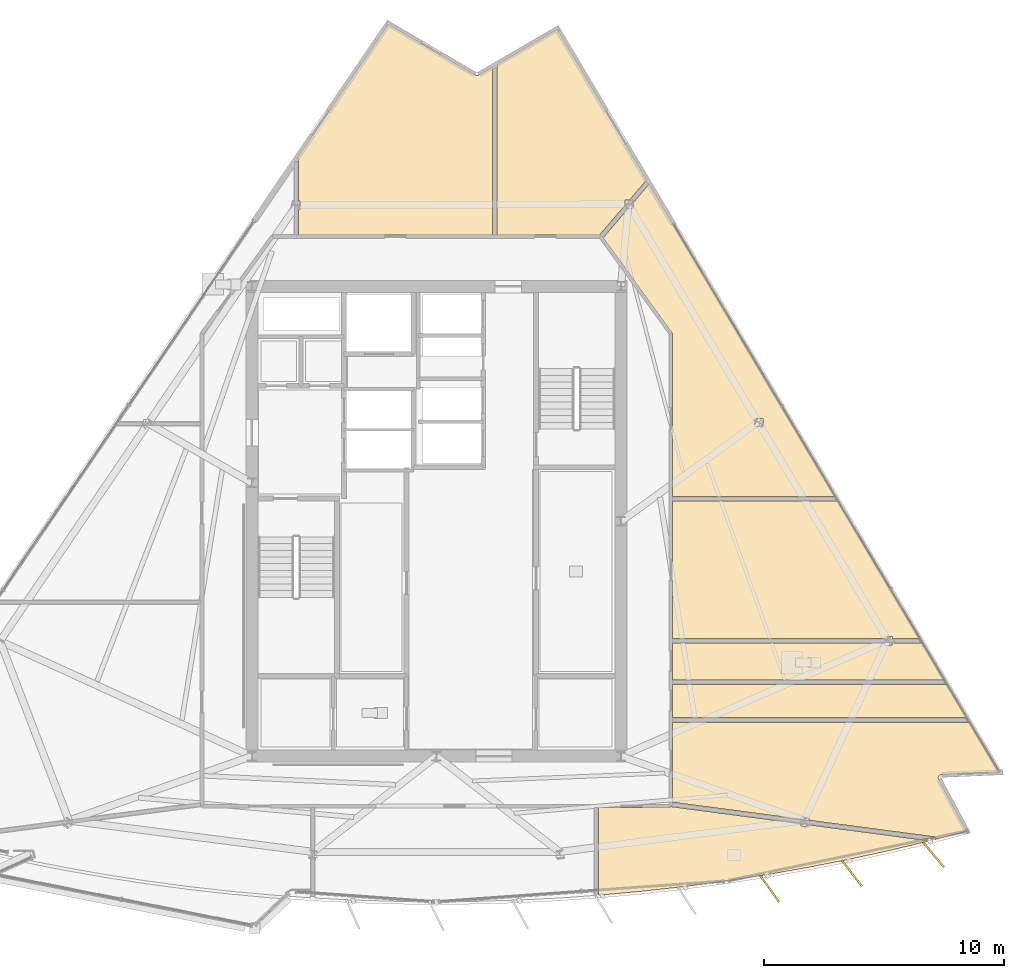
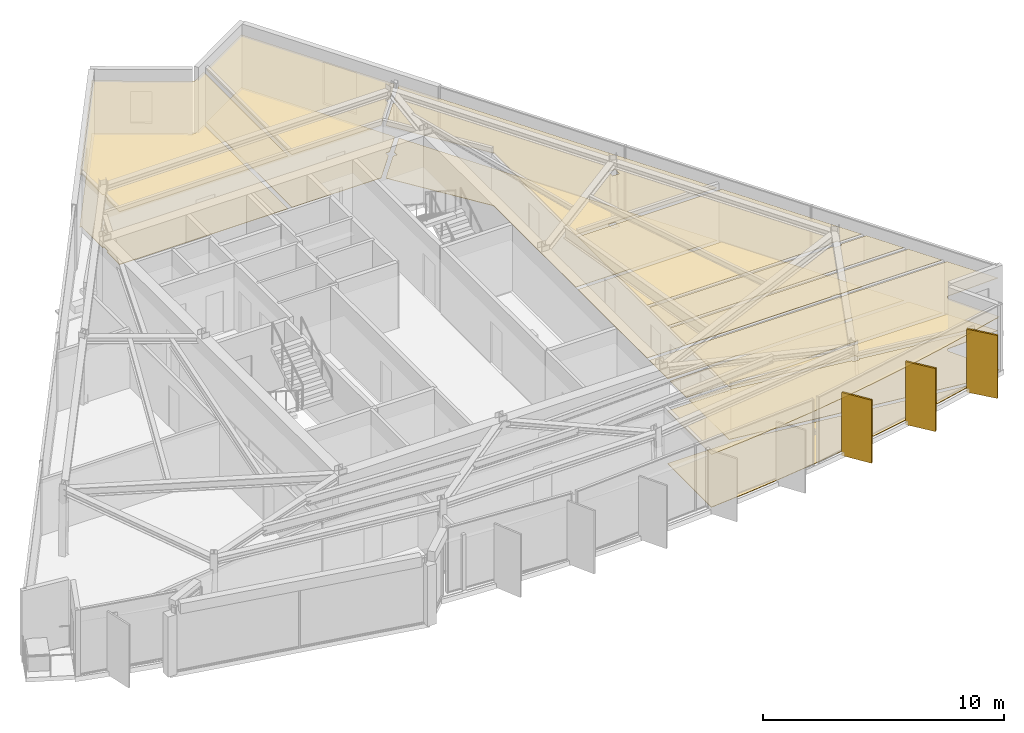
# One storey, part 12 of 13: 16 coverings, 3 shading devices.
"""IFC4 building model written with IfcOpenShell, lengths in metres."""

from ifc_helpers import new_model, si_unit, direction, frame, origin, origin_2d, place, context, subcontext, project, spatial, polyline, rectangle, outline, extrude, material, layer, layer_set, type_object, element, save


model = new_model("IFC4")

# Units and contexts
model_context = context("Model", 3, precision=1e-05, world=origin(), true_north=direction((0.0, 1.0)))
body_context = subcontext(model_context, "Body", "Model", "MODEL_VIEW")
ifc_project = project(units=[si_unit("LENGTHUNIT", "METRE"), si_unit("AREAUNIT", "SQUARE_METRE"), si_unit("VOLUMEUNIT", "CUBIC_METRE"), si_unit("PLANEANGLEUNIT", "RADIAN"), si_unit("MASSUNIT", "GRAM", prefix="KILO")], contexts=[model_context])

# Site, building, storey
site_placement = place(None, origin())
site = spatial("IfcSite", under=ifc_project, at=site_placement, CompositionType="ELEMENT")
building_placement = place(site_placement, origin())
building = spatial("IfcBuilding", under=site, at=building_placement, Name="Savorim Split Tower", CompositionType="ELEMENT")
storey_placement = place(building_placement, frame((0.0, 0.0, 276.0)))
storey = spatial("IfcBuildingStorey", under=building, at=storey_placement, Name="L73", CompositionType="ELEMENT", Elevation=276.0)

# Coverings
ifc_material_1 = material(Name="Mineral Fibre Acoustic Ceiling")
ifc_layer_1 = layer(ifc_material_1, 0.02490234375)
ifc_layer_set_1 = layer_set([ifc_layer_1], Name="COV-CEIL-25")
covering_type_1 = type_object("IfcCoveringType", Name="COV-CEIL-25", PredefinedType="CEILING", material=ifc_layer_set_1)
covering_1_placement = place(storey_placement, frame((0.0, 0.0, 2.669921875)))
element("IfcCovering", 1, at=covering_1_placement, inside=storey, type_object=covering_type_1, Name="L73 Shared Kitchen Acoustic Ceiling", PredefinedType="CEILING", context=body_context, shape_type="SweptSolid", body=[
    extrude(outline(polyline([(13.801025390625, -14.3369140625), (15.5078125, -14.036865234375), (17.2080078125, -13.7021484375), (18.90087890625, -13.332763671875), (20.58349609375, -12.92919921875), (15.535888671875, -12.26220703125), (15.535888671875, -12.319580078125), (15.206787109375, -12.319580078125), (15.206787109375, -12.21875), (9.82666015625, -11.5078125), (9.7939453125, -11.503662109375), (9.788818359375, -11.50830078125), (9.77783203125, -11.516357421875), (9.76611328125, -11.5234375), (9.753662109375, -11.529296875), (9.740478515625, -11.533935546875), (9.727294921875, -11.537353515625), (9.713623046875, -11.539306640625), (9.699951171875, -11.5400390625), (6.75634765625, -11.5400390625), (6.75634765625, -15.197509765625), (6.923583984375, -15.185546875), (8.649169921875, -15.026123046875), (10.37109375, -14.83154296875), (12.088623046875, -14.601806640625), (13.801025390625, -14.3369140625)])), origin(), (0.0, 0.0, 1.0), 0.025146484375),
])
covering_2_placement = place(storey_placement, frame((0.0, 0.0, 2.669921875)))
element("IfcCovering", 2, at=covering_2_placement, inside=storey, type_object=covering_type_1, Name="L73 Quiet Study Room Acoustic Ceiling", PredefinedType="CEILING", context=body_context, shape_type="SweptSolid", body=[
    extrude(outline(polyline([(21.022705078125, -10.172119140625), (21.033935546875, -10.169921875), (21.04541015625, -10.168701171875), (23.469970703125, -10.065673828125), (22.232421875, -7.984619140625), (9.840087890625, -7.984619140625), (9.840087890625, -11.318115234375), (15.206787109375, -12.027099609375), (15.206787109375, -11.9697265625), (15.535888671875, -11.9697265625), (15.535888671875, -12.070556640625), (20.708251953125, -12.754150390625), (20.802490234375, -12.7666015625), (20.7880859375, -12.875732421875), (22.1162109375, -12.528564453125), (20.94482421875, -10.345458984375), (20.93994140625, -10.3349609375), (20.93603515625, -10.32421875), (20.93310546875, -10.31298828125), (20.931396484375, -10.301513671875), (20.9306640625, -10.2900390625), (20.930908203125, -10.278564453125), (20.9326171875, -10.26708984375), (20.935302734375, -10.255859375), (20.93896484375, -10.244873046875), (20.943603515625, -10.234375), (20.94921875, -10.224365234375), (20.9560546875, -10.21484375), (20.96337890625, -10.206298828125), (20.9716796875, -10.1982421875), (20.98095703125, -10.19091796875), (20.990478515625, -10.184814453125), (21.0009765625, -10.179443359375), (21.01171875, -10.17529296875), (21.022705078125, -10.172119140625)])), origin(), (0.0, 0.0, 1.0), 0.025146484375),
])
covering_3_placement = place(storey_placement, frame((0.0, 0.0, 2.669921875)))
element("IfcCovering", 3, at=covering_3_placement, inside=storey, type_object=covering_type_1, Name="L73 Co-Living Bedroom Acoustic Ceiling", PredefinedType="CEILING", context=body_context, shape_type="SweptSolid", body=[
    extrude(outline(polyline([(22.119384765625, -7.794677734375), (21.294921875, -6.408203125), (9.840087890625, -6.408203125), (9.840087890625, -7.794677734375), (22.119384765625, -7.794677734375)])), origin(), (0.0, 0.0, 1.0), 0.025146484375),
])
covering_4_placement = place(storey_placement, frame((0.0, 0.0, 2.669921875)))
element("IfcCovering", 4, at=covering_4_placement, inside=storey, type_object=covering_type_1, Name="L73 Shared Bathroom Acoustic Ceiling", PredefinedType="CEILING", context=body_context, shape_type="SweptSolid", body=[
    extrude(outline(polyline([(18.7041015625, -4.765380859375), (18.7041015625, -4.685302734375), (9.840087890625, -4.685302734375), (9.840087890625, -6.218017578125), (21.181884765625, -6.218017578125), (20.2509765625, -4.652099609375), (20.2509765625, -4.685302734375), (19.033203125, -4.685302734375), (19.033203125, -4.765380859375), (18.7041015625, -4.765380859375)])), origin(), (0.0, 0.0, 1.0), 0.025146484375),
])
covering_5_placement = place(storey_placement, frame((0.0, 0.0, 2.669921875)))
element("IfcCovering", 5, at=covering_5_placement, inside=storey, type_object=covering_type_1, Name="L73 Quiet Study Room Acoustic Ceiling", PredefinedType="CEILING", context=body_context, shape_type="SweptSolid", body=[
    extrude(outline(polyline([(19.033203125, -4.415283203125), (19.033203125, -4.495361328125), (20.156005859375, -4.495361328125), (20.15771484375, -4.495361328125), (16.745361328125, 1.2431640625), (9.840087890625, 1.2431640625), (9.840087890625, -4.495361328125), (18.7041015625, -4.495361328125), (18.7041015625, -4.415283203125), (19.033203125, -4.415283203125)])), origin(), (0.0, 0.0, 1.0), 0.025146484375),
])
covering_6_placement = place(storey_placement, frame((0.0, 0.0, 2.669921875)))
element("IfcCovering", 6, at=covering_6_placement, inside=storey, type_object=covering_type_1, Name="L73 Quiet Study Room Acoustic Ceiling", PredefinedType="CEILING", context=body_context, shape_type="SweptSolid", body=[
    extrude(outline(polyline([(9.8369140625, 8.22900390625), (9.839111328125, 8.214599609375), (9.840087890625, 8.199951171875), (9.840087890625, 1.43310546875), (16.63232421875, 1.43310546875), (8.878173828125, 14.47412109375), (8.197509765625, 13.678466796875), (8.197509765625, 13.457275390625), (8.00830078125, 13.457275390625), (6.967529296875, 12.240234375), (6.95458984375, 12.225341796875), (9.813232421875, 8.2822265625), (9.8212890625, 8.27001953125), (9.827880859375, 8.2568359375), (9.833251953125, 8.2431640625), (9.8369140625, 8.22900390625)]), holes=[polyline([(13.615478515625, 4.345947265625), (13.615478515625, 4.696044921875), (13.286376953125, 4.696044921875), (13.286376953125, 4.345947265625), (13.615478515625, 4.345947265625)])]), origin(), (0.0, 0.0, 1.0), 0.025146484375),
])
covering_7_placement = place(storey_placement, frame((0.0, 0.0, 2.669921875)))
element("IfcCovering", 7, at=covering_7_placement, inside=storey, type_object=covering_type_1, Name="L73 Quiet Study Room Acoustic Ceiling", PredefinedType="CEILING", context=body_context, shape_type="SweptSolid", body=[
    extrude(outline(polyline([(8.72021484375, 14.581787109375), (8.775390625, 14.646484375), (5.039794921875, 20.92919921875), (2.51904296875, 19.460205078125), (2.51904296875, 12.340087890625), (6.800048828125, 12.340087890625), (6.802490234375, 12.33984375), (7.86865234375, 13.586181640625), (7.86865234375, 13.807373046875), (8.057861328125, 13.807373046875), (8.72021484375, 14.581787109375)])), origin(), (0.0, 0.0, 1.0), 0.025146484375),
])
covering_8_placement = place(storey_placement, frame((0.0, 0.0, 2.669921875)))
element("IfcCovering", 8, at=covering_8_placement, inside=storey, type_object=covering_type_1, Name="L73 Quiet Study Room Acoustic Ceiling", PredefinedType="CEILING", context=body_context, shape_type="SweptSolid", body=[
    extrude(outline(polyline([(1.64794921875, 19.00146484375), (1.63720703125, 19.005859375), (1.626953125, 19.010986328125), (-2.01171875, 21.149658203125), (-5.8486328125, 15.509033203125), (-5.7578125, 15.509033203125), (-5.7578125, 13.758544921875), (-5.6884765625, 13.758544921875), (-5.6884765625, 13.408447265625), (-5.7578125, 13.408447265625), (-5.7578125, 12.340087890625), (2.3291015625, 12.340087890625), (2.3291015625, 19.349609375), (1.748291015625, 19.010986328125), (1.738037109375, 19.005615234375), (1.727294921875, 19.001220703125), (1.71630859375, 18.998046875), (1.704833984375, 18.995849609375), (1.693359375, 18.99462890625), (1.681884765625, 18.99462890625), (1.67041015625, 18.995849609375), (1.658935546875, 18.998046875), (1.64794921875, 19.00146484375)])), origin(), (0.0, 0.0, 1.0), 0.025146484375),
])
ifc_material_2 = material(Name="Porcelain Stoneware Flooring", Category="masonry")
ifc_layer_2 = layer(ifc_material_2, 0.02001953125)
ifc_layer_set_2 = layer_set([ifc_layer_2], Name="COV-FLOR-20")
covering_type_2 = type_object("IfcCoveringType", Name="COV-FLOR-20", PredefinedType="FLOORING", material=ifc_layer_set_2)
covering_9_placement = place(storey_placement, origin())
element("IfcCovering", 9, at=covering_9_placement, inside=storey, type_object=covering_type_2, Name="L73 Shared Kitchen Porcelain Flooring", PredefinedType="FLOORING", context=body_context, shape_type="SweptSolid", body=[
    extrude(outline(polyline([(13.801025390625, -14.3369140625), (15.5078125, -14.036865234375), (17.2080078125, -13.7021484375), (18.90087890625, -13.332763671875), (20.58349609375, -12.92919921875), (15.535888671875, -12.26220703125), (15.535888671875, -12.319580078125), (15.206787109375, -12.319580078125), (15.206787109375, -12.21875), (9.82666015625, -11.5078125), (9.7939453125, -11.503662109375), (9.788818359375, -11.50830078125), (9.77783203125, -11.516357421875), (9.76611328125, -11.5234375), (9.753662109375, -11.529296875), (9.740478515625, -11.533935546875), (9.727294921875, -11.537353515625), (9.713623046875, -11.539306640625), (9.699951171875, -11.5400390625), (6.75634765625, -11.5400390625), (6.75634765625, -15.197509765625), (6.923583984375, -15.185546875), (8.649169921875, -15.026123046875), (10.37109375, -14.83154296875), (12.088623046875, -14.601806640625), (13.801025390625, -14.3369140625)])), origin(), (0.0, 0.0, 1.0), 0.02001953125),
])
covering_10_placement = place(storey_placement, origin())
element("IfcCovering", 10, at=covering_10_placement, inside=storey, type_object=covering_type_2, Name="L73 Quiet Study Room Porcelain Flooring", PredefinedType="FLOORING", context=body_context, shape_type="SweptSolid", body=[
    extrude(outline(polyline([(21.022705078125, -10.172119140625), (21.033935546875, -10.169921875), (21.04541015625, -10.168701171875), (23.469970703125, -10.065673828125), (22.232421875, -7.984619140625), (9.840087890625, -7.984619140625), (9.840087890625, -11.318115234375), (15.206787109375, -12.027099609375), (15.206787109375, -11.9697265625), (15.535888671875, -11.9697265625), (15.535888671875, -12.070556640625), (20.708251953125, -12.754150390625), (20.802490234375, -12.7666015625), (20.7880859375, -12.875732421875), (22.1162109375, -12.528564453125), (20.94482421875, -10.345458984375), (20.93994140625, -10.3349609375), (20.93603515625, -10.32421875), (20.93310546875, -10.31298828125), (20.931396484375, -10.301513671875), (20.9306640625, -10.2900390625), (20.930908203125, -10.278564453125), (20.9326171875, -10.26708984375), (20.935302734375, -10.255859375), (20.93896484375, -10.244873046875), (20.943603515625, -10.234375), (20.94921875, -10.224365234375), (20.9560546875, -10.21484375), (20.96337890625, -10.206298828125), (20.9716796875, -10.1982421875), (20.98095703125, -10.19091796875), (20.990478515625, -10.184814453125), (21.0009765625, -10.179443359375), (21.01171875, -10.17529296875), (21.022705078125, -10.172119140625)])), origin(), (0.0, 0.0, 1.0), 0.02001953125),
])
covering_11_placement = place(storey_placement, origin())
element("IfcCovering", 11, at=covering_11_placement, inside=storey, type_object=covering_type_2, Name="L73 Co-Living Bedroom Porcelain Flooring", PredefinedType="FLOORING", context=body_context, shape_type="SweptSolid", body=[
    extrude(outline(polyline([(22.119384765625, -7.794677734375), (21.294921875, -6.408203125), (9.840087890625, -6.408203125), (9.840087890625, -7.794677734375), (22.119384765625, -7.794677734375)])), origin(), (0.0, 0.0, 1.0), 0.02001953125),
])
covering_12_placement = place(storey_placement, origin())
element("IfcCovering", 12, at=covering_12_placement, inside=storey, type_object=covering_type_2, Name="L73 Shared Bathroom Porcelain Flooring", PredefinedType="FLOORING", context=body_context, shape_type="SweptSolid", body=[
    extrude(outline(polyline([(18.7041015625, -4.765380859375), (18.7041015625, -4.685302734375), (9.840087890625, -4.685302734375), (9.840087890625, -6.218017578125), (21.181884765625, -6.218017578125), (20.2509765625, -4.652099609375), (20.2509765625, -4.685302734375), (19.033203125, -4.685302734375), (19.033203125, -4.765380859375), (18.7041015625, -4.765380859375)])), origin(), (0.0, 0.0, 1.0), 0.02001953125),
])
covering_13_placement = place(storey_placement, origin())
element("IfcCovering", 13, at=covering_13_placement, inside=storey, type_object=covering_type_2, Name="L73 Quiet Study Room Porcelain Flooring", PredefinedType="FLOORING", context=body_context, shape_type="SweptSolid", body=[
    extrude(outline(polyline([(19.033203125, -4.415283203125), (19.033203125, -4.495361328125), (20.156005859375, -4.495361328125), (20.15771484375, -4.495361328125), (16.745361328125, 1.2431640625), (9.840087890625, 1.2431640625), (9.840087890625, -4.495361328125), (18.7041015625, -4.495361328125), (18.7041015625, -4.415283203125), (19.033203125, -4.415283203125)])), origin(), (0.0, 0.0, 1.0), 0.02001953125),
])
covering_14_placement = place(storey_placement, origin())
element("IfcCovering", 14, at=covering_14_placement, inside=storey, type_object=covering_type_2, Name="L73 Quiet Study Room Porcelain Flooring", PredefinedType="FLOORING", context=body_context, shape_type="SweptSolid", body=[
    extrude(outline(polyline([(9.8369140625, 8.22900390625), (9.839111328125, 8.214599609375), (9.840087890625, 8.199951171875), (9.840087890625, 1.43310546875), (16.63232421875, 1.43310546875), (8.878173828125, 14.47412109375), (8.197509765625, 13.678466796875), (8.197509765625, 13.457275390625), (8.00830078125, 13.457275390625), (6.967529296875, 12.240234375), (6.95458984375, 12.225341796875), (9.813232421875, 8.2822265625), (9.8212890625, 8.27001953125), (9.827880859375, 8.2568359375), (9.833251953125, 8.2431640625), (9.8369140625, 8.22900390625)]), holes=[polyline([(13.615478515625, 4.345947265625), (13.615478515625, 4.696044921875), (13.286376953125, 4.696044921875), (13.286376953125, 4.345947265625), (13.615478515625, 4.345947265625)])]), origin(), (0.0, 0.0, 1.0), 0.02001953125),
])
covering_15_placement = place(storey_placement, origin())
element("IfcCovering", 15, at=covering_15_placement, inside=storey, type_object=covering_type_2, Name="L73 Quiet Study Room Porcelain Flooring", PredefinedType="FLOORING", context=body_context, shape_type="SweptSolid", body=[
    extrude(outline(polyline([(8.72021484375, 14.581787109375), (8.775390625, 14.646484375), (5.039794921875, 20.92919921875), (2.51904296875, 19.460205078125), (2.51904296875, 12.340087890625), (6.800048828125, 12.340087890625), (6.802490234375, 12.33984375), (7.86865234375, 13.586181640625), (7.86865234375, 13.807373046875), (8.057861328125, 13.807373046875), (8.72021484375, 14.581787109375)])), origin(), (0.0, 0.0, 1.0), 0.02001953125),
])
covering_16_placement = place(storey_placement, origin())
element("IfcCovering", 16, at=covering_16_placement, inside=storey, type_object=covering_type_2, Name="L73 Quiet Study Room Porcelain Flooring", PredefinedType="FLOORING", context=body_context, shape_type="SweptSolid", body=[
    extrude(outline(polyline([(1.64794921875, 19.00146484375), (1.63720703125, 19.005859375), (1.626953125, 19.010986328125), (-2.01171875, 21.149658203125), (-5.8486328125, 15.509033203125), (-5.7578125, 15.509033203125), (-5.7578125, 13.758544921875), (-5.6884765625, 13.758544921875), (-5.6884765625, 13.408447265625), (-5.7578125, 13.408447265625), (-5.7578125, 12.340087890625), (2.3291015625, 12.340087890625), (2.3291015625, 19.349609375), (1.748291015625, 19.010986328125), (1.738037109375, 19.005615234375), (1.727294921875, 19.001220703125), (1.71630859375, 18.998046875), (1.704833984375, 18.995849609375), (1.693359375, 18.99462890625), (1.681884765625, 18.99462890625), (1.67041015625, 18.995849609375), (1.658935546875, 18.998046875), (1.64794921875, 19.00146484375)])), origin(), (0.0, 0.0, 1.0), 0.02001953125),
])

# Shading devices
ifc_material_3 = material(Name="Terracotta Ceramic-Coated Aluminium Fin", Category="masonry")
shading_device_type = type_object("IfcShadingDeviceType", Name="SHD-FIN-1360", PredefinedType="USERDEFINED", material=ifc_material_3)
for number, where, z_axis, x_axis, name in (
    (17, (13.898193359375, -14.9248046875, -0.2001953125), (0.0, 0.0, 1.0), (0.578993757737, -0.815331974414, 0.0), "L73 Sawtooth Shading Fin 11"),
    (18, (17.3291015625, -14.28564453125, -0.2001953125), (0.0, 0.0, 1.0), (0.611868076908, -0.790959832394, 0.0), "L73 Sawtooth Shading Fin 12"),
    (19, (20.73095703125, -13.5068359375, -0.2001953125), (0.0, 0.0, 1.0), (0.643719022682, -0.765261928909, 0.0), "L73 Sawtooth Shading Fin 13"),
):
    element("IfcShadingDevice", number, at=place(storey_placement, frame(where, z_axis=z_axis, x_axis=x_axis)), inside=storey, type_object=shading_device_type, Name=name, ObjectType="FIN", PredefinedType="USERDEFINED", context=body_context, shape_type="SweptSolid", body=[
        extrude(rectangle(XDim=1.360107421875, YDim=0.080078125, at=origin_2d()), origin(), (0.0, 0.0, 1.0), 3.199951171875),
    ])

save(model, "model.ifc")
